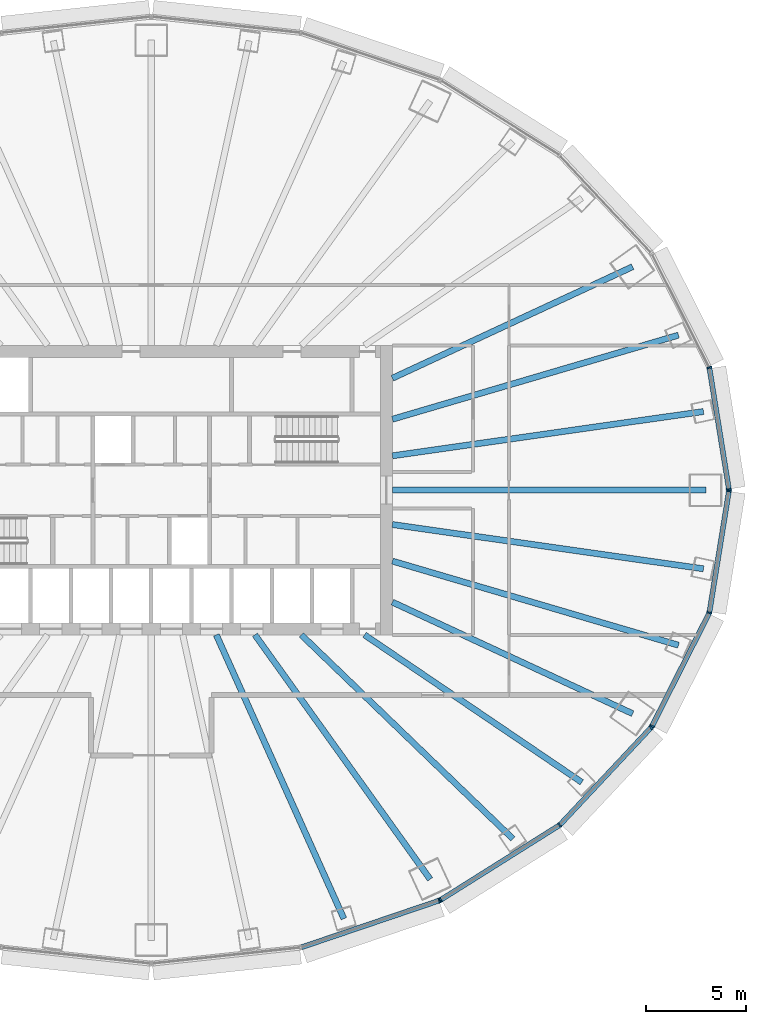
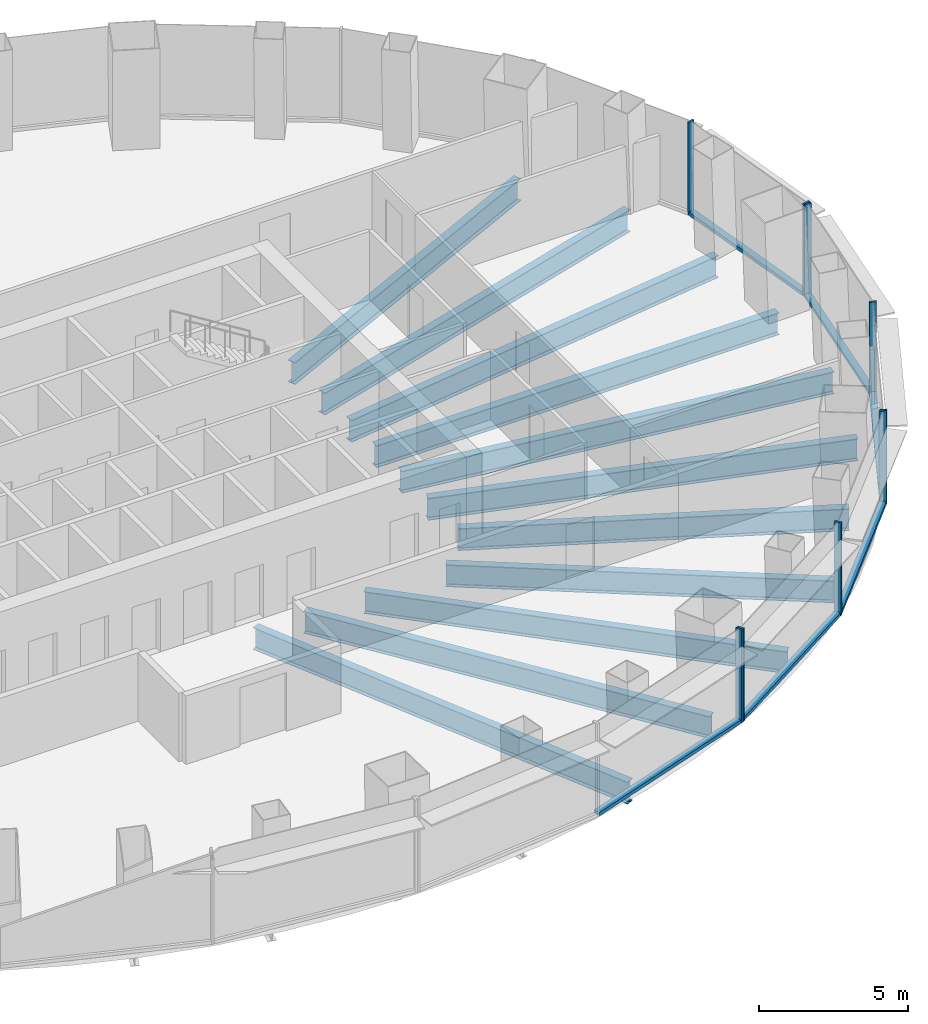
# One storey, part 3 of 13: 15 members, 11 beams, 4 elements without a shape of their own.
"""IFC4 building model written with IfcOpenShell, lengths in metres."""

from ifc_helpers import new_model, si_unit, direction, frame, origin, origin_2d, place, context, subcontext, project, spatial, rectangle, i_section, extrude, material, layer, layer_set, material_profile, profile_set, type_object, element, aggregate, save


model = new_model("IFC4")

# Units and contexts
model_context = context("Model", 3, precision=1e-05, world=origin(), true_north=direction((0.0, 1.0)))
body_context = subcontext(model_context, "Body", "Model", "MODEL_VIEW")
ifc_project = project(units=[si_unit("LENGTHUNIT", "METRE"), si_unit("AREAUNIT", "SQUARE_METRE"), si_unit("VOLUMEUNIT", "CUBIC_METRE"), si_unit("PLANEANGLEUNIT", "RADIAN"), si_unit("MASSUNIT", "GRAM", prefix="KILO")], contexts=[model_context])

# Site, building, storey
site_placement = place(None, origin())
site = spatial("IfcSite", under=ifc_project, at=site_placement, CompositionType="ELEMENT")
building_placement = place(site_placement, origin())
building = spatial("IfcBuilding", under=site, at=building_placement, Name="Siaravel Broadcast Tower", CompositionType="ELEMENT")
storey_placement = place(building_placement, frame((0.0, 0.0, 24.5)))
storey = spatial("IfcBuildingStorey", under=building, at=storey_placement, Name="L04", CompositionType="ELEMENT", Elevation=24.5)

# Beams
ifc_material_1 = material(Name="Steel S355", Category="steel")
ifc_material_profile_1 = material_profile(ifc_material_1, i_section(OverallWidth=0.30322265625, OverallDepth=0.903076171875, WebThickness=0.01513671875, FlangeThickness=0.020263671875, FilletRadius=0.01904296875, at=origin_2d()))
ifc_profile_set_1 = profile_set([ifc_material_profile_1], Name="Steel S355")
beam_type = type_object("IfcBeamType", Name="BM-UB 914x305x201", PredefinedType="BEAM", material=ifc_profile_set_1)
beam_1_placement = place(storey_placement, frame((27.59423828125, 0.0, -0.651611328125), z_axis=(-1.0, 0.0, 0.0), x_axis=(0.0, -1.0, 0.0)))
element("IfcBeam", 1, at=beam_1_placement, inside=storey, type_object=beam_type, Name="Radial beam RB01", PredefinedType="BEAM", context=body_context, shape_type="SweptSolid", body=[
    extrude(i_section(OverallWidth=0.30322265625, OverallDepth=0.903076171875, WebThickness=0.01513671875, FlangeThickness=0.020263671875, FilletRadius=0.01904296875, at=origin_2d()), origin(), (0.0, 0.0, 1.0), 15.59423828125),
])
beam_2_placement = place(storey_placement, frame((27.476318359375, 3.9130859375, -0.651611328125), z_axis=(-0.99001031, -0.140994985, 0.0), x_axis=(0.140994985, -0.99001031, 0.0)))
element("IfcBeam", 2, at=beam_2_placement, inside=storey, type_object=beam_type, Name="Radial beam RB02", PredefinedType="BEAM", context=body_context, shape_type="SweptSolid", body=[
    extrude(i_section(OverallWidth=0.30322265625, OverallDepth=0.903076171875, WebThickness=0.01513671875, FlangeThickness=0.020263671875, FilletRadius=0.01904296875, at=origin_2d()), origin(), (0.0, 0.0, 1.0), 15.632568359375),
])
beam_3_placement = place(storey_placement, frame((26.23291015625, 7.7138671875, -0.651611328125), z_axis=(-0.959385415, -0.28209861, 0.0), x_axis=(0.28209861, -0.959385415, 0.0)))
element("IfcBeam", 3, at=beam_3_placement, inside=storey, type_object=beam_type, Name="Radial beam RB03", PredefinedType="BEAM", context=body_context, shape_type="SweptSolid", body=[
    extrude(i_section(OverallWidth=0.30322265625, OverallDepth=0.903076171875, WebThickness=0.01513671875, FlangeThickness=0.020263671875, FilletRadius=0.01904296875, at=origin_2d()), origin(), (0.0, 0.0, 1.0), 14.83544921875),
])
beam_4_placement = place(storey_placement, frame((23.950927734375, 11.1181640625, -0.651611328125), z_axis=(-0.907039044, -0.42104652, 0.0), x_axis=(0.42104652, -0.907039044, 0.0)))
element("IfcBeam", 4, at=beam_4_placement, inside=storey, type_object=beam_type, Name="Radial beam RB04", PredefinedType="BEAM", context=body_context, shape_type="SweptSolid", body=[
    extrude(i_section(OverallWidth=0.30322265625, OverallDepth=0.903076171875, WebThickness=0.01513671875, FlangeThickness=0.020263671875, FilletRadius=0.01904296875, at=origin_2d()), origin(), (0.0, 0.0, 1.0), 13.17578125),
])
beam_5_placement = place(storey_placement, frame((9.58544921875, -21.31982421875, -0.651611328125), z_axis=(-0.410053186, 0.912061612, 0.0), x_axis=(-0.912061612, -0.410053186, 0.0)))
element("IfcBeam", 5, at=beam_5_placement, inside=storey, type_object=beam_type, Name="Radial beam RB30", PredefinedType="BEAM", context=body_context, shape_type="SweptSolid", body=[
    extrude(i_section(OverallWidth=0.30322265625, OverallDepth=0.903076171875, WebThickness=0.01513671875, FlangeThickness=0.020263671875, FilletRadius=0.01904296875, at=origin_2d()), origin(), (0.0, 0.0, 1.0), 15.481201171875),
])
beam_6_placement = place(storey_placement, frame((13.876953125, -19.360595703125, -0.651611328125), z_axis=(-0.582571046, 0.812779783, 0.0), x_axis=(-0.812779783, -0.582571046, 0.0)))
element("IfcBeam", 6, at=beam_6_placement, inside=storey, type_object=beam_type, Name="Radial beam RB31", PredefinedType="BEAM", context=body_context, shape_type="SweptSolid", body=[
    extrude(i_section(OverallWidth=0.30322265625, OverallDepth=0.903076171875, WebThickness=0.01513671875, FlangeThickness=0.020263671875, FilletRadius=0.01904296875, at=origin_2d()), origin(), (0.0, 0.0, 1.0), 14.9619140625),
])
beam_7_placement = place(storey_placement, frame((17.9912109375, -17.345703125, -0.651611328125), z_axis=(-0.719899432, 0.694078387, 0.0), x_axis=(-0.694078387, -0.719899432, 0.0)))
element("IfcBeam", 7, at=beam_7_placement, inside=storey, type_object=beam_type, Name="Radial beam RB32", PredefinedType="BEAM", context=body_context, shape_type="SweptSolid", body=[
    extrude(i_section(OverallWidth=0.30322265625, OverallDepth=0.903076171875, WebThickness=0.01513671875, FlangeThickness=0.020263671875, FilletRadius=0.01904296875, at=origin_2d()), origin(), (0.0, 0.0, 1.0), 14.61767578125),
])
beam_8_placement = place(storey_placement, frame((21.42236328125, -14.535400390625, -0.651611328125), z_axis=(-0.82749748, 0.56146943, 0.0), x_axis=(-0.56146943, -0.82749748, 0.0)))
element("IfcBeam", 8, at=beam_8_placement, inside=storey, type_object=beam_type, Name="Radial beam RB33", PredefinedType="BEAM", context=body_context, shape_type="SweptSolid", body=[
    extrude(i_section(OverallWidth=0.30322265625, OverallDepth=0.903076171875, WebThickness=0.01513671875, FlangeThickness=0.020263671875, FilletRadius=0.01904296875, at=origin_2d()), origin(), (0.0, 0.0, 1.0), 13.064697265625),
])
beam_9_placement = place(storey_placement, frame((23.950927734375, -11.1181640625, -0.651611328125), z_axis=(-0.907039044, 0.42104652, 0.0), x_axis=(-0.42104652, -0.907039044, 0.0)))
element("IfcBeam", 9, at=beam_9_placement, inside=storey, type_object=beam_type, Name="Radial beam RB34", PredefinedType="BEAM", context=body_context, shape_type="SweptSolid", body=[
    extrude(i_section(OverallWidth=0.30322265625, OverallDepth=0.903076171875, WebThickness=0.01513671875, FlangeThickness=0.020263671875, FilletRadius=0.01904296875, at=origin_2d()), origin(), (0.0, 0.0, 1.0), 13.17578125),
])
beam_10_placement = place(storey_placement, frame((26.23291015625, -7.7138671875, -0.651611328125), z_axis=(-0.959385415, 0.28209861, 0.0), x_axis=(-0.28209861, -0.959385415, 0.0)))
element("IfcBeam", 10, at=beam_10_placement, inside=storey, type_object=beam_type, Name="Radial beam RB35", PredefinedType="BEAM", context=body_context, shape_type="SweptSolid", body=[
    extrude(i_section(OverallWidth=0.30322265625, OverallDepth=0.903076171875, WebThickness=0.01513671875, FlangeThickness=0.020263671875, FilletRadius=0.01904296875, at=origin_2d()), origin(), (0.0, 0.0, 1.0), 14.83544921875),
])
beam_11_placement = place(storey_placement, frame((27.476318359375, -3.9130859375, -0.651611328125), z_axis=(-0.99001031, 0.140994985, 0.0), x_axis=(-0.140994985, -0.99001031, 0.0)))
element("IfcBeam", 11, at=beam_11_placement, inside=storey, type_object=beam_type, Name="Radial beam RB36", PredefinedType="BEAM", context=body_context, shape_type="SweptSolid", body=[
    extrude(i_section(OverallWidth=0.30322265625, OverallDepth=0.903076171875, WebThickness=0.01513671875, FlangeThickness=0.020263671875, FilletRadius=0.01904296875, at=origin_2d()), origin(), (0.0, 0.0, 1.0), 15.632568359375),
])

# Curtain wall, members
ifc_material_2 = material(Name="Aluminium 6063-T6", Category="aluminium")
ifc_layer = layer(ifc_material_2, 0.25)
ifc_layer_set = layer_set([ifc_layer], Name="Aluminium 6063-T6")
curtain_wall_type = type_object("IfcCurtainWallType", Name="Podium newsroom glazing", PredefinedType="NOTDEFINED", material=ifc_layer_set)
curtain_wall_1_placement = place(storey_placement, origin())
curtain_wall_1 = element("IfcCurtainWall", 12, at=curtain_wall_1_placement, inside=storey, type_object=curtain_wall_type, Name="L04 Podium newsroom glazing 01", PredefinedType="NOTDEFINED")
ifc_material_profile_2 = material_profile(ifc_material_2, rectangle(XDim=0.25, YDim=0.080078125, at=origin_2d()))
ifc_profile_set_2 = profile_set([ifc_material_profile_2], Name="Aluminium 6063-T6")
member_type_1 = type_object("IfcMemberType", Name="CW-PD mullion", PredefinedType="MULLION", material=ifc_profile_set_2)
member_1_placement = place(storey_placement, frame((28.7431640625, 0.03955078125, 0.0), z_axis=(0.0, 0.0, 1.0), x_axis=(-0.987329093, -0.158686046, 0.0)))
member_1 = element("IfcMember", 13, at=member_1_placement, type_object=member_type_1, Name="CW-PD mullion 1", PredefinedType="MULLION", context=body_context, shape_type="SweptSolid", body=[
    extrude(rectangle(XDim=0.25, YDim=0.080078125, at=origin_2d()), origin(), (0.0, 0.0, 1.0), 3.800048828125),
])
member_2_placement = place(storey_placement, frame((27.76904296875, 6.099853515625, 0.0), z_axis=(0.0, 0.0, 1.0), x_axis=(-0.951176944, -0.308646111, 0.0)))
member_2 = element("IfcMember", 14, at=member_2_placement, type_object=member_type_1, Name="CW-PD mullion 2", PredefinedType="MULLION", context=body_context, shape_type="SweptSolid", body=[
    extrude(rectangle(XDim=0.25, YDim=0.080078125, at=origin_2d()), origin(), (0.0, 0.0, 1.0), 3.800048828125),
])

# Curtain wall, member
curtain_wall_2_placement = place(storey_placement, origin())
curtain_wall_2 = element("IfcCurtainWall", 15, at=curtain_wall_2_placement, inside=storey, type_object=curtain_wall_type, Name="L04 Podium newsroom glazing 10", PredefinedType="NOTDEFINED")
member_3_placement = place(storey_placement, frame((14.333251953125, -20.416748046875, 0.0), z_axis=(0.0, 0.0, 1.0), x_axis=(-0.321300254, 0.946977374, 0.0)))
member_3 = element("IfcMember", 16, at=member_3_placement, type_object=member_type_1, Name="CW-PD mullion 3", PredefinedType="MULLION", context=body_context, shape_type="SweptSolid", body=[
    extrude(rectangle(XDim=0.25, YDim=0.080078125, at=origin_2d()), origin(), (0.0, 0.0, 1.0), 3.800048828125),
])

# Curtain wall, members
curtain_wall_3_placement = place(storey_placement, origin())
curtain_wall_3 = element("IfcCurtainWall", 17, at=curtain_wall_3_placement, inside=storey, type_object=curtain_wall_type, Name="L04 Podium newsroom glazing 11", PredefinedType="NOTDEFINED")
member_4_placement = place(storey_placement, frame((14.405029296875, -20.382568359375, 0.0), z_axis=(0.0, 0.0, 1.0), x_axis=(-0.532148584, 0.846650982, 0.0)))
member_4 = element("IfcMember", 18, at=member_4_placement, type_object=member_type_1, Name="CW-PD mullion 1", PredefinedType="MULLION", context=body_context, shape_type="SweptSolid", body=[
    extrude(rectangle(XDim=0.25, YDim=0.080078125, at=origin_2d()), origin(), (0.0, 0.0, 1.0), 3.800048828125),
])
member_5_placement = place(storey_placement, frame((20.3251953125, -16.661376953125, 0.0), z_axis=(0.0, 0.0, 1.0), x_axis=(-0.6362179, 0.771509419, 0.0)))
member_5 = element("IfcMember", 19, at=member_5_placement, type_object=member_type_1, Name="CW-PD mullion 2", PredefinedType="MULLION", context=body_context, shape_type="SweptSolid", body=[
    extrude(rectangle(XDim=0.25, YDim=0.080078125, at=origin_2d()), origin(), (0.0, 0.0, 1.0), 3.800048828125),
])
member_6_placement = place(storey_placement, frame((24.867919921875, -11.81201171875, 0.0), z_axis=(0.0, 0.0, 1.0), x_axis=(-0.729804459, 0.683655945, 0.0)))
member_6 = element("IfcMember", 20, at=member_6_placement, type_object=member_type_1, Name="CW-PD mullion 3", PredefinedType="MULLION", context=body_context, shape_type="SweptSolid", body=[
    extrude(rectangle(XDim=0.25, YDim=0.080078125, at=origin_2d()), origin(), (0.0, 0.0, 1.0), 3.800048828125),
])

curtain_wall_4_placement = place(storey_placement, origin())
curtain_wall_4 = element("IfcCurtainWall", 21, at=curtain_wall_4_placement, inside=storey, type_object=curtain_wall_type, Name="L04 Podium newsroom glazing 12", PredefinedType="NOTDEFINED")
member_7_placement = place(storey_placement, frame((24.913330078125, -11.747314453125, 0.0), z_axis=(0.0, 0.0, 1.0), x_axis=(-0.892391539, 0.451261943, 0.0)))
member_7 = element("IfcMember", 22, at=member_7_placement, type_object=member_type_1, Name="CW-PD mullion 1", PredefinedType="MULLION", context=body_context, shape_type="SweptSolid", body=[
    extrude(rectangle(XDim=0.25, YDim=0.080078125, at=origin_2d()), origin(), (0.0, 0.0, 1.0), 3.800048828125),
])
member_8_placement = place(storey_placement, frame((27.76904296875, -6.099853515625, 0.0), z_axis=(0.0, 0.0, 1.0), x_axis=(-0.951176944, 0.308646111, 0.0)))
member_8 = element("IfcMember", 23, at=member_8_placement, type_object=member_type_1, Name="CW-PD mullion 2", PredefinedType="MULLION", context=body_context, shape_type="SweptSolid", body=[
    extrude(rectangle(XDim=0.25, YDim=0.080078125, at=origin_2d()), origin(), (0.0, 0.0, 1.0), 3.800048828125),
])
member_9_placement = place(storey_placement, frame((28.7431640625, -0.03955078125, 0.0), z_axis=(0.0, 0.0, 1.0), x_axis=(-0.987329093, 0.158686046, 0.0)))
member_9 = element("IfcMember", 24, at=member_9_placement, type_object=member_type_1, Name="CW-PD mullion 3", PredefinedType="MULLION", context=body_context, shape_type="SweptSolid", body=[
    extrude(rectangle(XDim=0.25, YDim=0.080078125, at=origin_2d()), origin(), (0.0, 0.0, 1.0), 3.800048828125),
])

# Member
ifc_material_profile_3 = material_profile(ifc_material_2, rectangle(XDim=0.25, YDim=0.139892578125, at=origin_2d()))
ifc_profile_set_3 = profile_set([ifc_material_profile_3], Name="Aluminium 6063-T6")
member_type_2 = type_object("IfcMemberType", Name="CW-PD transom", PredefinedType="USERDEFINED", material=ifc_profile_set_3)
member_10_placement = place(storey_placement, frame((28.73681640625, 0.0791015625, 0.070068359375), z_axis=(-0.158704052, 0.987326199, 0.0), x_axis=(-0.987326199, -0.158704052, 0.0)))
member_10 = element("IfcMember", 25, at=member_10_placement, type_object=member_type_2, Name="CW-PD transom 1", ObjectType="TRANSOM", PredefinedType="USERDEFINED", context=body_context, shape_type="SweptSolid", body=[
    extrude(rectangle(XDim=0.25, YDim=0.139892578125, at=origin_2d()), origin(), (0.0, 0.0, 1.0), 6.057861328125),
])

aggregate(curtain_wall_1, [member_1, member_2, member_10])

member_11_placement = place(storey_placement, frame((7.4765625, -22.7431640625, 0.070068359375), z_axis=(0.946970963, 0.321319148, 0.0), x_axis=(-0.321319148, 0.946970963, 0.0)))
member_11 = element("IfcMember", 26, at=member_11_placement, type_object=member_type_2, Name="CW-PD transom 2", ObjectType="TRANSOM", PredefinedType="USERDEFINED", context=body_context, shape_type="SweptSolid", body=[
    extrude(rectangle(XDim=0.25, YDim=0.139892578125, at=origin_2d()), origin(), (0.0, 0.0, 1.0), 7.20068359375),
])

aggregate(curtain_wall_2, [member_3, member_11])

member_12_placement = place(storey_placement, frame((14.43896484375, -20.361083984375, 0.070068359375), z_axis=(0.84665428, 0.532143336, 0.0), x_axis=(-0.532143336, 0.84665428, 0.0)))
member_12 = element("IfcMember", 27, at=member_12_placement, type_object=member_type_2, Name="CW-PD transom 1", ObjectType="TRANSOM", PredefinedType="USERDEFINED", context=body_context, shape_type="SweptSolid", body=[
    extrude(rectangle(XDim=0.25, YDim=0.139892578125, at=origin_2d()), origin(), (0.0, 0.0, 1.0), 6.91259765625),
])

member_13_placement = place(storey_placement, frame((20.3525390625, -16.632080078125, 0.070068359375), z_axis=(0.683692437, 0.729770273, 0.0), x_axis=(-0.729770273, 0.683692437, 0.0)))
member_13 = element("IfcMember", 28, at=member_13_placement, type_object=member_type_2, Name="CW-PD transom 2", ObjectType="TRANSOM", PredefinedType="USERDEFINED", context=body_context, shape_type="SweptSolid", body=[
    extrude(rectangle(XDim=0.25, YDim=0.139892578125, at=origin_2d()), origin(), (0.0, 0.0, 1.0), 6.564697265625),
])

aggregate(curtain_wall_3, [member_4, member_5, member_6, member_12, member_13])

member_14_placement = place(storey_placement, frame((24.931396484375, -11.71142578125, 0.070068359375), z_axis=(0.45128812, 0.892378301, 0.0), x_axis=(-0.892378301, 0.45128812, 0.0)))
member_14 = element("IfcMember", 29, at=member_14_placement, type_object=member_type_2, Name="CW-PD transom 1", ObjectType="TRANSOM", PredefinedType="USERDEFINED", context=body_context, shape_type="SweptSolid", body=[
    extrude(rectangle(XDim=0.25, YDim=0.139892578125, at=origin_2d()), origin(), (0.0, 0.0, 1.0), 6.248291015625),
])

member_15_placement = place(storey_placement, frame((27.775390625, -6.060302734375, 0.070068359375), z_axis=(0.158704052, 0.987326199, 0.0), x_axis=(-0.987326199, 0.158704052, 0.0)))
member_15 = element("IfcMember", 30, at=member_15_placement, type_object=member_type_2, Name="CW-PD transom 2", ObjectType="TRANSOM", PredefinedType="USERDEFINED", context=body_context, shape_type="SweptSolid", body=[
    extrude(rectangle(XDim=0.25, YDim=0.139892578125, at=origin_2d()), origin(), (0.0, 0.0, 1.0), 6.057861328125),
])

aggregate(curtain_wall_4, [member_7, member_8, member_9, member_14, member_15])

save(model, "model.ifc")
